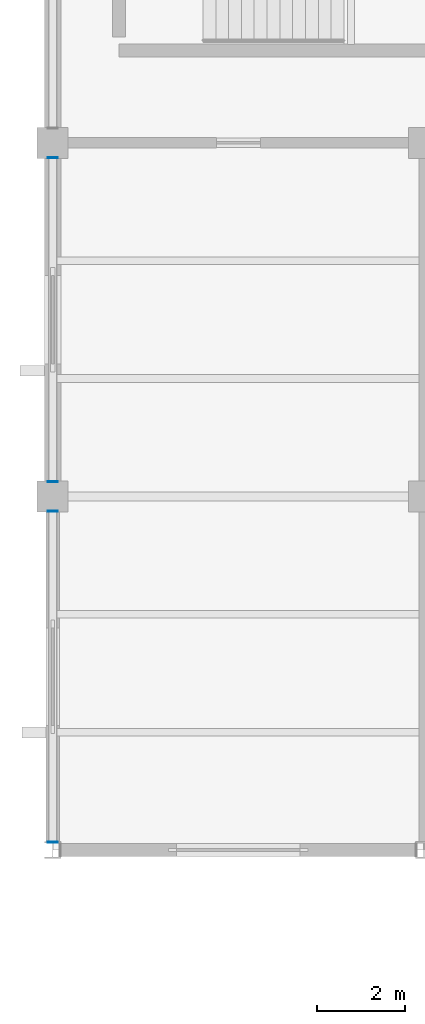
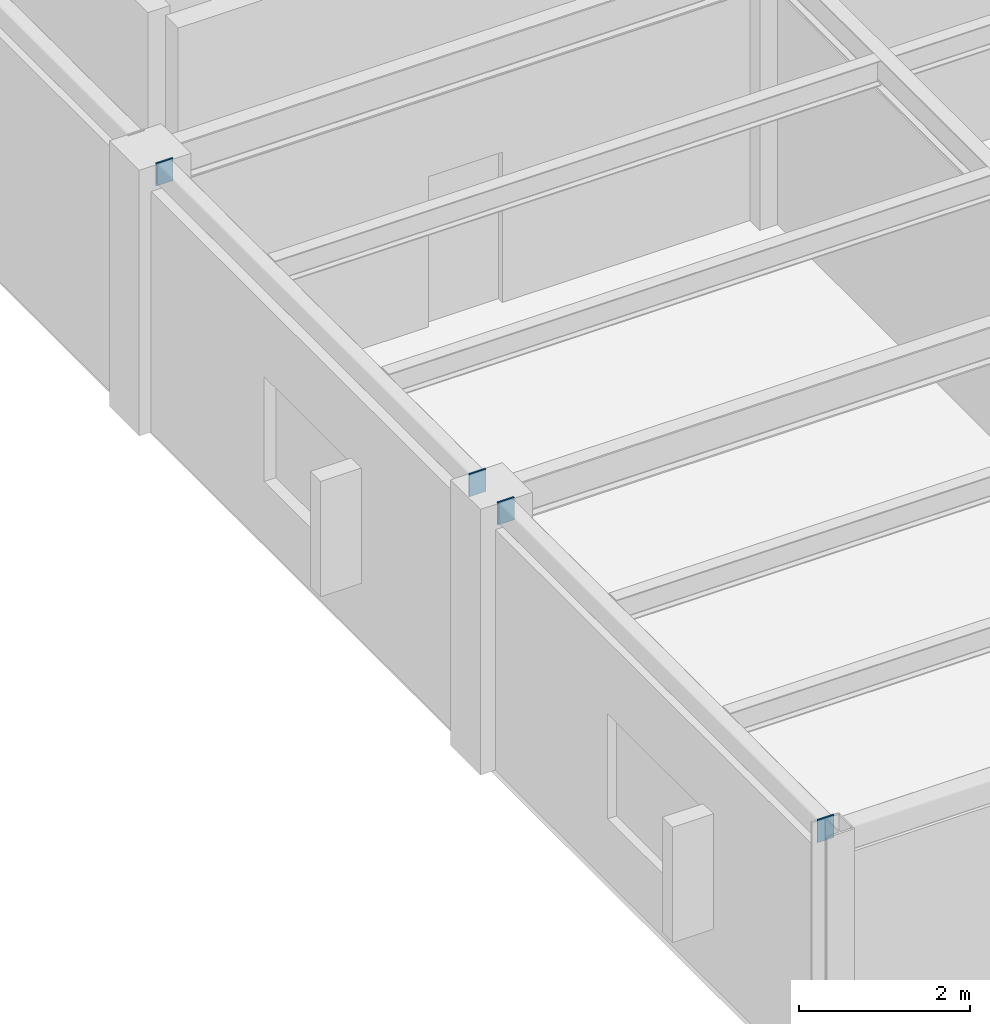
# One storey, part 89 of 138: 4 discrete accessories.
"""IFC4 building model written with IfcOpenShell, lengths in metres."""

from ifc_helpers import new_model, si_unit, direction, frame, origin, origin_2d, place, context, subcontext, project, spatial, rectangle, extrude, material, layer, layer_set, type_object, element, save


model = new_model("IFC4")

# Units and contexts
model_context = context("Model", 3, precision=1e-05, world=origin(), true_north=direction((0.0, 1.0)))
body_context = subcontext(model_context, "Body", "Model", "MODEL_VIEW")
ifc_project = project(units=[si_unit("LENGTHUNIT", "METRE"), si_unit("AREAUNIT", "SQUARE_METRE"), si_unit("VOLUMEUNIT", "CUBIC_METRE"), si_unit("PLANEANGLEUNIT", "RADIAN"), si_unit("MASSUNIT", "GRAM", prefix="KILO")], contexts=[model_context])

# Site, building, storey
site_placement = place(None, origin())
site = spatial("IfcSite", under=ifc_project, at=site_placement, CompositionType="ELEMENT")
building_placement = place(site_placement, origin())
building = spatial("IfcBuilding", under=site, at=building_placement, Name="Kranzveld Transit Interchange", CompositionType="ELEMENT")
storey_placement = place(building_placement, frame((0.0, 0.0, 5.43994140625)))
storey = spatial("IfcBuildingStorey", under=building, at=storey_placement, Name="L01", CompositionType="ELEMENT", Elevation=5.43994140625)

# Discrete accessories
ifc_material = material(Name="Steel S355JR", Category="steel")
ifc_layer = layer(ifc_material, 0.02001953125)
ifc_layer_set = layer_set([ifc_layer], Name="Steel S355JR")
discrete_accessory_type = type_object("IfcDiscreteAccessoryType", Name="Hollow Section End Cap Bracket 20 S355JR", PredefinedType="BRACKET", material=ifc_layer_set)
for number, where, z_axis, x_axis, name in (
    (1, (0.0, 48.181396484375, 3.650146484375), (0.0, -1.0, 0.0), (1.0, 0.0, 0.0), "Hollow Section End Cap SP-RHS300-1"),
    (2, (0.0, 55.656005859375, 3.650146484375), (0.0, 1.0, 0.0), (-1.0, 0.0, 0.0), "Hollow Section End Cap SP-RHS300-2"),
    (3, (0.0, 56.343994140625, 3.650146484375), (0.0, -1.0, 0.0), (1.0, 0.0, 0.0), "Hollow Section End Cap SP-RHS300-1"),
    (4, (0.0, 63.656005859375, 3.650146484375), (0.0, 1.0, 0.0), (-1.0, 0.0, 0.0), "Hollow Section End Cap SP-RHS300-2"),
):
    element("IfcDiscreteAccessory", number, at=place(storey_placement, frame(where, z_axis=z_axis, x_axis=x_axis)), inside=storey, type_object=discrete_accessory_type, Name=name, PredefinedType="BRACKET", context=body_context, shape_type="SweptSolid", body=[
        extrude(rectangle(XDim=0.22412109375, YDim=0.323974609375, at=origin_2d()), origin(), (0.0, 0.0, 1.0), 0.02001953125),
    ])

save(model, "model.ifc")
